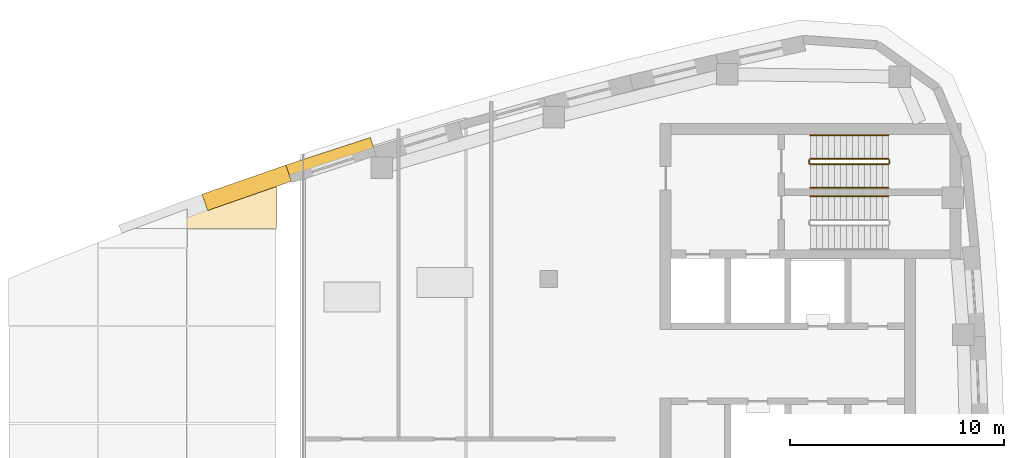
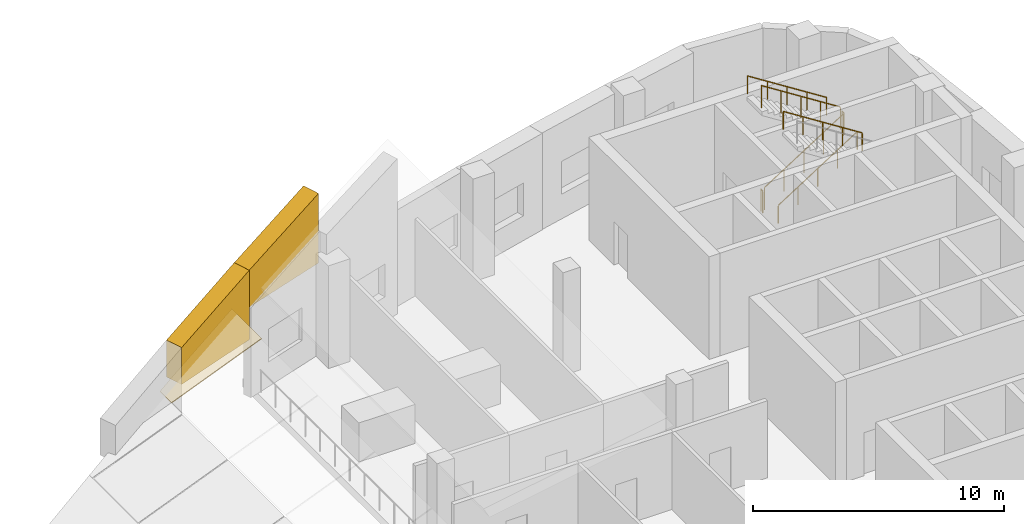
# One storey, part 7 of 8: 7 railings, 3 coverings.
"""IFC4 building model written with IfcOpenShell, lengths in metres."""

from ifc_helpers import new_model, si_unit, direction, frame, origin, origin_2d, place, context, subcontext, project, spatial, polyline, circle, outline, extrude, material, layer, layer_set, type_object, element, save


model = new_model("IFC4")

# Units and contexts
model_context = context("Model", 3, precision=1e-05, world=origin(), true_north=direction((0.0, 1.0)))
body_context = subcontext(model_context, "Body", "Model", "MODEL_VIEW")
ifc_project = project(units=[si_unit("LENGTHUNIT", "METRE"), si_unit("AREAUNIT", "SQUARE_METRE"), si_unit("VOLUMEUNIT", "CUBIC_METRE"), si_unit("PLANEANGLEUNIT", "RADIAN"), si_unit("MASSUNIT", "GRAM", prefix="KILO")], contexts=[model_context])

# Site, building, storey
site_placement = place(None, origin())
site = spatial("IfcSite", under=ifc_project, at=site_placement, CompositionType="ELEMENT")
building_placement = place(site_placement, origin())
building = spatial("IfcBuilding", under=site, at=building_placement, Name="Ostrand Prow Hotel Tower", CompositionType="ELEMENT")
storey_placement = place(building_placement, frame((0.0, 0.0, 332.39990234375)))
storey = spatial("IfcBuildingStorey", under=building, at=storey_placement, Name="C6", CompositionType="ELEMENT", Elevation=332.39990234375)

# Coverings
ifc_material_1 = material(Name="Bronze anodised aluminium cladding", Category="aluminium")
ifc_layer_1 = layer(ifc_material_1, 0.0400390625)
ifc_layer_set_1 = layer_set([ifc_layer_1], Name="Bronze anodised aluminium cladding")
covering_type_1 = type_object("IfcCoveringType", Name="Crown bronze edge capping 40 mm", PredefinedType="CLADDING", material=ifc_layer_set_1)
covering_1_placement = place(storey_placement, frame((28.966796875, 12.573486328125, 3.102783203125), z_axis=(-0.374556229706, -1.0139688e-05, 0.92720420118), x_axis=(-0.876710170177, -0.325497323919, -0.354162066899)))
element("IfcCovering", 1, at=covering_1_placement, inside=storey, type_object=covering_type_1, Name="Crown edge capping 6.8", PredefinedType="CLADDING", context=body_context, shape_type="SweptSolid", body=[
    extrude(outline(polyline([(0.0, 0.0), (0.9443182005700953, 4.163336342344337e-17), (1.2413662954943327, 0.8629002905372372), (-3.0013264971117333, 2.3234210773247206), (-3.776528253662278, 0.07152371665303878), (0.0, 0.0)])), origin(), (0.0, 0.0, -1.0), 0.0400390625),
])
ifc_material_2 = material(Name="Limestone cladding", Category="masonry")
ifc_layer_2 = layer(ifc_material_2, 0.800048828125)
ifc_layer_set_2 = layer_set([ifc_layer_2], Name="Limestone cladding")
covering_type_2 = type_object("IfcCoveringType", Name="Crown stone fascia 800 mm", PredefinedType="CLADDING", material=ifc_layer_set_2)
covering_2_placement = place(storey_placement, frame((36.80859375, 15.218994140625, 4.38134765625), z_axis=(0.0, 0.0, 1.0), x_axis=(-0.950704886081, -0.310097113146, 0.0)))
element("IfcCovering", 2, at=covering_2_placement, inside=storey, type_object=covering_type_2, Name="Crown stone fascia 34", PredefinedType="CLADDING", context=body_context, shape_type="SweptSolid", body=[
    extrude(outline(polyline([(0.0, 0.0), (4.13818359375, 0.0), (4.13818359375, 1.800048828125), (0.0, 3.389404296875), (0.0, 0.0)])), frame((0.0, 0.39990234375, 0.0), z_axis=(0.0, -1.0, 0.0), x_axis=(1.0, 0.0, 0.0)), (0.0, 0.0, 1.0), 0.800048828125),
])
covering_3_placement = place(storey_placement, frame((32.87451171875, 13.935791015625, 2.802734375), z_axis=(0.0, 0.0, 1.0), x_axis=(-0.944264164282, -0.329188681538, 0.0)))
element("IfcCovering", 3, at=covering_3_placement, inside=storey, type_object=covering_type_2, Name="Crown stone fascia 35", PredefinedType="CLADDING", context=body_context, shape_type="SweptSolid", body=[
    extrude(outline(polyline([(0.0, 0.0), (4.138427734375, 0.0), (4.13818359375, 1.800048828125), (0.0, 3.378662109375), (0.0, 0.0)])), frame((0.0, 0.39990234375, 0.0), z_axis=(0.0, -1.0, 0.0), x_axis=(1.0, 0.0, 0.0)), (0.0, 0.0, 1.0), 0.800048828125),
])

# Railings
ifc_material_3 = material(Name="Painted steel", Category="steel")
railing_type_1 = type_object("IfcRailingType", Name="Stair guard 1100", PredefinedType="GUARDRAIL", material=ifc_material_3)
railing_1_placement = place(storey_placement, frame((57.199951171875, 14.35009765625, 0.1787109375)))
element("IfcRailing", 4, at=railing_1_placement, inside=storey, type_object=railing_type_1, Name="C6 ST3C stair guard 1", PredefinedType="GUARDRAIL", context=body_context, shape_type="SweptSolid", body=[
    extrude(circle(Radius=0.02392578125, at=origin_2d()), frame((0.0, 0.0, 1.076171875), z_axis=(0.843153495434, 0.0, 0.537672933239), x_axis=(0.0, 1.0, 0.0)), (0.0, 0.0, 1.0), 4.3173828125),
    extrude(circle(Radius=0.02099609375, at=origin_2d()), origin(), (0.0, 0.0, 1.0), 1.052001953125),
    extrude(circle(Radius=0.02099609375, at=origin_2d()), frame((0.91015625, 0.0, 0.580322265625)), (0.0, 0.0, 1.0), 1.052001953125),
    extrude(circle(Radius=0.02099609375, at=origin_2d()), frame((1.820068359375, 0.0, 1.16064453125)), (0.0, 0.0, 1.0), 1.052001953125),
    extrude(circle(Radius=0.02099609375, at=origin_2d()), frame((2.72998046875, 0.0, 1.740966796875)), (0.0, 0.0, 1.0), 1.052001953125),
    extrude(circle(Radius=0.02099609375, at=origin_2d()), frame((3.64013671875, 0.0, 2.3212890625)), (0.0, 0.0, 1.0), 1.052001953125),
])
railing_2_placement = place(storey_placement, frame((60.889892578125, 14.39990234375, 2.5)))
element("IfcRailing", 5, at=railing_2_placement, inside=storey, type_object=railing_type_1, Name="C6 ST3C stair guard 2", PredefinedType="GUARDRAIL", context=body_context, shape_type="SweptSolid", body=[
    extrude(circle(Radius=0.02392578125, at=origin_2d()), frame((0.0, 0.0, 1.076171875), z_axis=(0.0, 1.0, 0.0), x_axis=(-1.0, 0.0, 0.0)), (0.0, 0.0, 1.0), 0.150146484375),
    extrude(circle(Radius=0.02099609375, at=origin_2d()), origin(), (0.0, 0.0, 1.0), 1.052001953125),
    extrude(circle(Radius=0.02099609375, at=origin_2d()), frame((0.0, 0.150146484375, 0.0)), (0.0, 0.0, 1.0), 1.052001953125),
])
railing_3_placement = place(storey_placement, frame((60.840087890625, 14.60009765625, 2.6787109375)))
element("IfcRailing", 6, at=railing_3_placement, inside=storey, type_object=railing_type_1, Name="C6 ST3C stair guard 3", PredefinedType="GUARDRAIL", context=body_context, shape_type="SweptSolid", body=[
    extrude(circle(Radius=0.02392578125, at=origin_2d()), frame((0.0, 0.0, 1.076171875), z_axis=(-0.843153495434, 0.0, 0.537672933239), x_axis=(0.0, -1.0, 0.0)), (0.0, 0.0, 1.0), 4.3173828125),
    extrude(circle(Radius=0.02099609375, at=origin_2d()), origin(), (0.0, 0.0, 1.0), 1.052001953125),
    extrude(circle(Radius=0.02099609375, at=origin_2d()), frame((-0.91015625, 0.0, 0.580322265625)), (0.0, 0.0, 1.0), 1.052001953125),
    extrude(circle(Radius=0.02099609375, at=origin_2d()), frame((-1.820068359375, 0.0, 1.16064453125)), (0.0, 0.0, 1.0), 1.052001953125),
    extrude(circle(Radius=0.02099609375, at=origin_2d()), frame((-2.72998046875, 0.0, 1.740966796875)), (0.0, 0.0, 1.0), 1.052001953125),
    extrude(circle(Radius=0.02099609375, at=origin_2d()), frame((-3.64013671875, 0.0, 2.3212890625)), (0.0, 0.0, 1.0), 1.052001953125),
])
railing_4_placement = place(storey_placement, frame((57.14990234375, 14.39990234375, 0.0)))
element("IfcRailing", 7, at=railing_4_placement, inside=storey, type_object=railing_type_1, Name="C6 ST3C stair guard 4", PredefinedType="GUARDRAIL", context=body_context, shape_type="SweptSolid", body=[
    extrude(circle(Radius=0.02392578125, at=origin_2d()), frame((0.0, 0.0, 1.076171875), z_axis=(0.0, 1.0, 0.0), x_axis=(-1.0, 0.0, 0.0)), (0.0, 0.0, 1.0), 0.150146484375),
    extrude(circle(Radius=0.02099609375, at=origin_2d()), origin(), (0.0, 0.0, 1.0), 1.052001953125),
    extrude(circle(Radius=0.02099609375, at=origin_2d()), frame((0.0, 0.150146484375, 0.0)), (0.0, 0.0, 1.0), 1.052001953125),
])
ifc_material_4 = material(Name="Stainless steel", Category="steel")
railing_type_2 = type_object("IfcRailingType", Name="Stair handrail 900", PredefinedType="HANDRAIL", material=ifc_material_4)
railing_5_placement = place(storey_placement, frame((60.840087890625, 12.85009765625, 2.6787109375)))
element("IfcRailing", 8, at=railing_5_placement, inside=storey, type_object=railing_type_2, Name="C6 ST1C stair handrail 2", PredefinedType="HANDRAIL", context=body_context, shape_type="SweptSolid", body=[
    extrude(circle(Radius=0.02392578125, at=origin_2d()), frame((0.0, 0.0, 0.8759765625), z_axis=(-0.843153495434, 0.0, 0.537672933239), x_axis=(0.0, -1.0, 0.0)), (0.0, 0.0, 1.0), 4.3173828125),
    extrude(circle(Radius=0.02099609375, at=origin_2d()), origin(), (0.0, 0.0, 1.0), 0.851806640625),
    extrude(circle(Radius=0.02099609375, at=origin_2d()), frame((-0.91015625, 0.0, 0.580322265625)), (0.0, 0.0, 1.0), 0.851806640625),
    extrude(circle(Radius=0.02099609375, at=origin_2d()), frame((-1.820068359375, 0.0, 1.16064453125)), (0.0, 0.0, 1.0), 0.851806640625),
    extrude(circle(Radius=0.02099609375, at=origin_2d()), frame((-2.72998046875, 0.0, 1.740966796875)), (0.0, 0.0, 1.0), 0.851806640625),
    extrude(circle(Radius=0.02099609375, at=origin_2d()), frame((-3.64013671875, 0.0, 2.3212890625)), (0.0, 0.0, 1.0), 0.851806640625),
])
railing_6_placement = place(storey_placement, frame((57.199951171875, 13.25, 0.1787109375)))
element("IfcRailing", 9, at=railing_6_placement, inside=storey, type_object=railing_type_2, Name="C6 ST3C stair handrail 1", PredefinedType="HANDRAIL", context=body_context, shape_type="SweptSolid", body=[
    extrude(circle(Radius=0.02392578125, at=origin_2d()), frame((0.0, 0.0, 0.8759765625), z_axis=(0.843153495434, 0.0, 0.537672933239), x_axis=(0.0, 1.0, 0.0)), (0.0, 0.0, 1.0), 4.3173828125),
    extrude(circle(Radius=0.02099609375, at=origin_2d()), origin(), (0.0, 0.0, 1.0), 0.851806640625),
    extrude(circle(Radius=0.02099609375, at=origin_2d()), frame((0.91015625, 0.0, 0.580322265625)), (0.0, 0.0, 1.0), 0.851806640625),
    extrude(circle(Radius=0.02099609375, at=origin_2d()), frame((1.820068359375, 0.0, 1.16064453125)), (0.0, 0.0, 1.0), 0.851806640625),
    extrude(circle(Radius=0.02099609375, at=origin_2d()), frame((2.72998046875, 0.0, 1.740966796875)), (0.0, 0.0, 1.0), 0.851806640625),
    extrude(circle(Radius=0.02099609375, at=origin_2d()), frame((3.64013671875, 0.0, 2.3212890625)), (0.0, 0.0, 1.0), 0.851806640625),
])
railing_7_placement = place(storey_placement, frame((60.840087890625, 15.699951171875, 2.6787109375)))
element("IfcRailing", 10, at=railing_7_placement, inside=storey, type_object=railing_type_2, Name="C6 ST3C stair handrail 2", PredefinedType="HANDRAIL", context=body_context, shape_type="SweptSolid", body=[
    extrude(circle(Radius=0.02392578125, at=origin_2d()), frame((0.0, 0.0, 0.8759765625), z_axis=(-0.843153495434, 0.0, 0.537672933239), x_axis=(0.0, -1.0, 0.0)), (0.0, 0.0, 1.0), 4.3173828125),
    extrude(circle(Radius=0.02099609375, at=origin_2d()), origin(), (0.0, 0.0, 1.0), 0.851806640625),
    extrude(circle(Radius=0.02099609375, at=origin_2d()), frame((-0.91015625, 0.0, 0.580322265625)), (0.0, 0.0, 1.0), 0.851806640625),
    extrude(circle(Radius=0.02099609375, at=origin_2d()), frame((-1.820068359375, 0.0, 1.16064453125)), (0.0, 0.0, 1.0), 0.851806640625),
    extrude(circle(Radius=0.02099609375, at=origin_2d()), frame((-2.72998046875, 0.0, 1.740966796875)), (0.0, 0.0, 1.0), 0.851806640625),
    extrude(circle(Radius=0.02099609375, at=origin_2d()), frame((-3.64013671875, 0.0, 2.3212890625)), (0.0, 0.0, 1.0), 0.851806640625),
])

save(model, "model.ifc")
